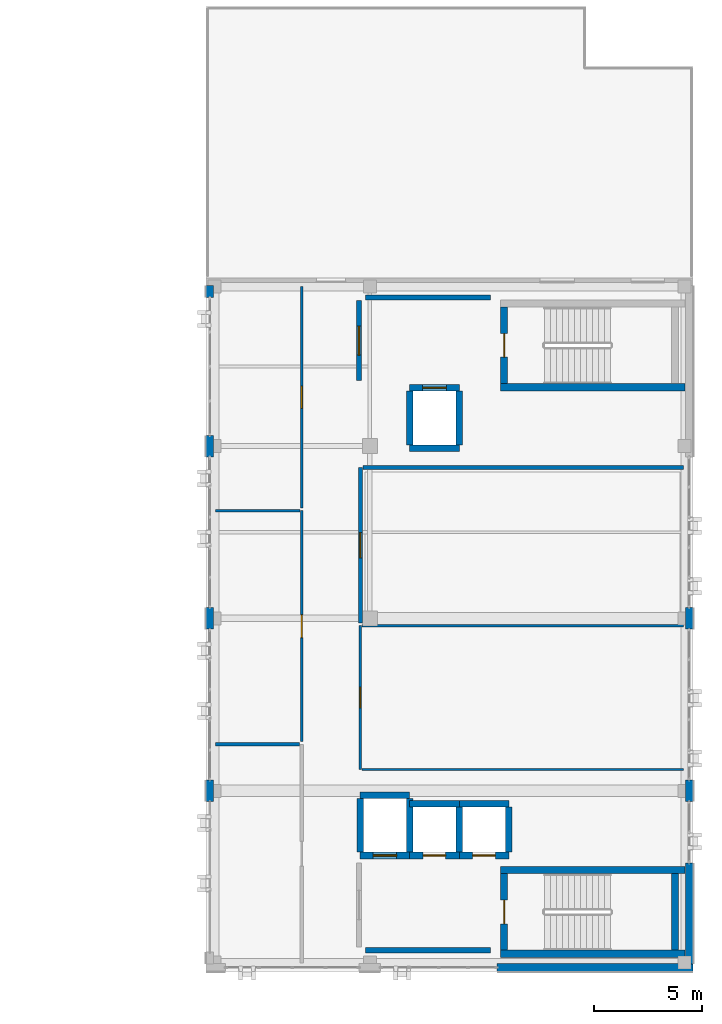
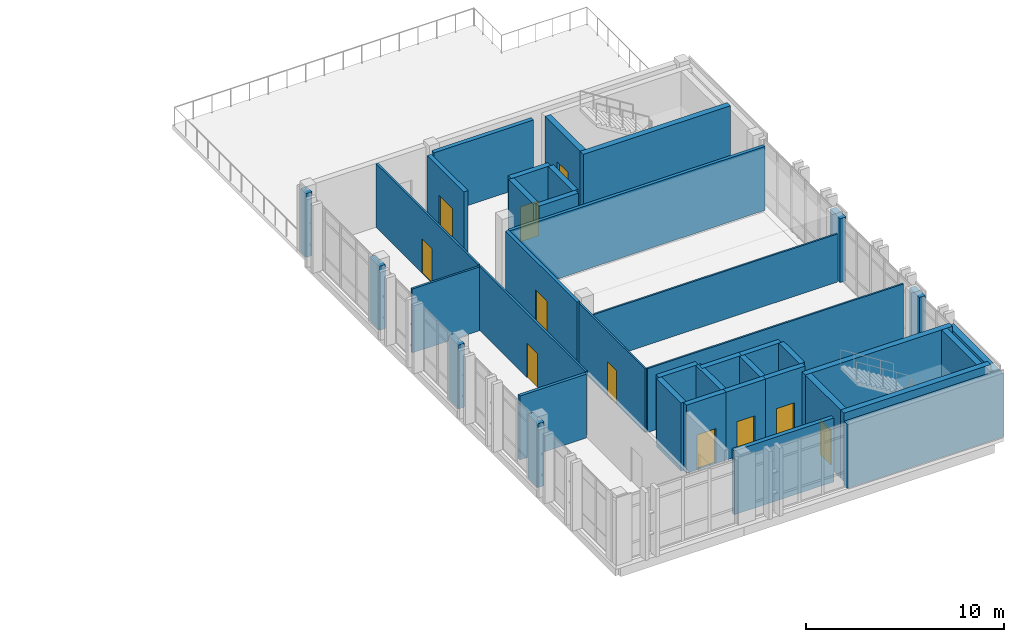
# One storey, part 38 of 48: 40 walls, 11 doors, 11 openings.
"""IFC4 building model written with IfcOpenShell, lengths in metres."""

from ifc_helpers import new_model, si_unit, direction, frame, frame_2d, origin, place, context, subcontext, project, spatial, rectangle, extrude, material, layer, layer_set, type_object, element, fill, save


model = new_model("IFC4")

# Units and contexts
model_context = context("Model", 3, precision=1e-05, world=origin(), true_north=direction((0.0, 1.0)))
body_context = subcontext(model_context, "Body", "Model", "MODEL_VIEW")
ifc_project = project(units=[si_unit("LENGTHUNIT", "METRE"), si_unit("AREAUNIT", "SQUARE_METRE"), si_unit("VOLUMEUNIT", "CUBIC_METRE"), si_unit("PLANEANGLEUNIT", "RADIAN"), si_unit("MASSUNIT", "GRAM", prefix="KILO")], contexts=[model_context])

# Site, building, storey
site_placement = place(None, origin())
site = spatial("IfcSite", under=ifc_project, at=site_placement, CompositionType="ELEMENT")
building_placement = place(site_placement, origin())
building = spatial("IfcBuilding", under=site, at=building_placement, Name="Qalavern Law Courts", CompositionType="ELEMENT")
storey_placement = place(building_placement, frame((0.0, 0.0, 31.199951171875)))
storey = spatial("IfcBuildingStorey", under=building, at=storey_placement, Name="L07", CompositionType="ELEMENT", Elevation=31.199951171875)

# Walls
ifc_material_1 = material(Name="Concrete C40/50", Category="concrete")
ifc_layer_1 = layer(ifc_material_1, 0.35498046875)
ifc_layer_set_1 = layer_set([ifc_layer_1], Name="Concrete C40/50")
wall_type_1 = type_object("IfcWallType", Name="ENV-EW-355", PredefinedType="SOLIDWALL", material=ifc_layer_set_1)
wall_1_placement = place(storey_placement, frame((97.699951171875, 41.197509765625, 0.0), z_axis=(0.0, 0.0, 1.0), x_axis=(1.0, 0.0, 0.0)))
element("IfcWall", 1, at=wall_1_placement, inside=storey, type_object=wall_type_1, Name="V4 exterior pier wall L07 south 3", PredefinedType="SOLIDWALL", context=body_context, shape_type="SweptSolid", body=[
    extrude(rectangle(XDim=9.10009765625, YDim=0.35498046875, at=frame_2d((4.550048828125, 0.0))), origin(), (0.0, 0.0, 1.0), 3.93994140625),
])
wall_2_placement = place(storey_placement, frame((106.62255859375, 41.3701171875, 0.0), z_axis=(0.0, 0.0, 1.0), x_axis=(0.0, 1.0, 0.0)))
element("IfcWall", 2, at=wall_2_placement, inside=storey, type_object=wall_type_1, Name="V4 exterior pier wall L07 east 1", PredefinedType="SOLIDWALL", context=body_context, shape_type="SweptSolid", body=[
    extrude(rectangle(XDim=4.679931640625, YDim=0.35498046875, at=frame_2d((2.33984375, 0.0))), origin(), (0.0, 0.0, 1.0), 3.93994140625),
])
for number, where, z_axis, x_axis, name in (
    (3, (106.62255859375, 48.89990234375, 0.0), (0.0, 0.0, 1.0), (0.0, 1.0, 0.0), "V4 exterior pier wall L07 east 2"),
    (4, (106.62255859375, 56.89990234375, 0.0), (0.0, 0.0, 1.0), (0.0, 1.0, 0.0), "V4 exterior pier wall L07 east 3"),
):
    element("IfcWall", number, at=place(storey_placement, frame(where, z_axis=z_axis, x_axis=x_axis)), inside=storey, type_object=wall_type_1, Name=name, PredefinedType="SOLIDWALL", context=body_context, shape_type="SweptSolid", body=[
        extrude(rectangle(XDim=1.0, YDim=0.35498046875, at=frame_2d((0.5, 0.0))), origin(), (0.0, 0.0, 1.0), 3.93994140625),
    ])
wall_3_placement = place(storey_placement, frame((84.37744140625, 72.85009765625, 0.0), z_axis=(0.0, 0.0, 1.0), x_axis=(0.0, -1.0, 0.0)))
element("IfcWall", 5, at=wall_3_placement, inside=storey, type_object=wall_type_1, Name="V4 exterior pier wall L07 west 1", PredefinedType="SOLIDWALL", context=body_context, shape_type="SweptSolid", body=[
    extrude(rectangle(XDim=0.550048828125, YDim=0.35498046875, at=frame_2d((0.27490234375, 0.0))), origin(), (0.0, 0.0, 1.0), 3.93994140625),
])
for number, where, z_axis, x_axis, name in (
    (6, (84.37744140625, 65.89990234375, 0.0), (0.0, 0.0, 1.0), (0.0, -1.0, 0.0), "V4 exterior pier wall L07 west 2"),
    (7, (84.37744140625, 57.89990234375, 0.0), (0.0, 0.0, 1.0), (0.0, -1.0, 0.0), "V4 exterior pier wall L07 west 3"),
    (8, (84.37744140625, 49.89990234375, 0.0), (0.0, 0.0, 1.0), (0.0, -1.0, 0.0), "V4 exterior pier wall L07 west 4"),
):
    element("IfcWall", number, at=place(storey_placement, frame(where, z_axis=z_axis, x_axis=x_axis)), inside=storey, type_object=wall_type_1, Name=name, PredefinedType="SOLIDWALL", context=body_context, shape_type="SweptSolid", body=[
        extrude(rectangle(XDim=1.0, YDim=0.35498046875, at=frame_2d((0.5, 0.0))), origin(), (0.0, 0.0, 1.0), 3.93994140625),
    ])
ifc_material_2 = material(Name="Concrete C45/55", Category="concrete")
ifc_layer_2 = layer(ifc_material_2, 0.3349609375)
ifc_layer_set_2 = layer_set([ifc_layer_2], Name="Concrete C45/55")
wall_type_2 = type_object("IfcWallType", Name="INT-CW-335", PredefinedType="SHEAR", material=ifc_layer_set_2)
wall_4_placement = place(storey_placement, frame((97.864990234375, 41.83251953125, 0.0), z_axis=(0.0, 0.0, 1.0), x_axis=(1.0, 0.0, 0.0)))
element("IfcWall", 9, at=wall_4_placement, inside=storey, type_object=wall_type_2, Name="Core K1A stair shear wall L07 south", PredefinedType="SHEAR", context=body_context, shape_type="SweptSolid", body=[
    extrude(rectangle(XDim=8.576904296875, YDim=0.3349609375, at=frame_2d((4.28857421875, 0.0))), origin(), (0.0, 0.0, 1.0), 4.199951171875),
])
wall_5_placement = place(storey_placement, frame((105.967529296875, 42.0, 0.0), z_axis=(0.0, 0.0, 1.0), x_axis=(0.0, 1.0, 0.0)))
element("IfcWall", 10, at=wall_5_placement, inside=storey, type_object=wall_type_2, Name="Core K1A stair shear wall L07 east", PredefinedType="SHEAR", context=body_context, shape_type="SweptSolid", body=[
    extrude(rectangle(XDim=3.550048828125, YDim=0.3349609375, at=frame_2d((1.77490234375, 0.0))), origin(), (0.0, 0.0, 1.0), 4.199951171875),
])
wall_6_placement = place(storey_placement, frame((106.44189453125, 45.717529296875, 0.0), z_axis=(0.0, 0.0, 1.0), x_axis=(-1.0, 0.0, 0.0)))
element("IfcWall", 11, at=wall_6_placement, inside=storey, type_object=wall_type_2, Name="Core K1A stair shear wall L07 north", PredefinedType="SHEAR", context=body_context, shape_type="SweptSolid", body=[
    extrude(rectangle(XDim=8.576904296875, YDim=0.3349609375, at=frame_2d((4.28857421875, 0.0))), origin(), (0.0, 0.0, 1.0), 4.199951171875),
])

# Wall, opening, door
wall_7_placement = place(storey_placement, frame((98.032470703125, 45.550048828125, 0.0), z_axis=(0.0, 0.0, 1.0), x_axis=(0.0, -1.0, 0.0)))
wall_7 = element("IfcWall", 12, at=wall_7_placement, inside=storey, type_object=wall_type_2, Name="Core K1A stair shear wall L07 west", PredefinedType="SHEAR", context=body_context, shape_type="SweptSolid", body=[
    extrude(rectangle(XDim=3.550048828125, YDim=0.3349609375, at=frame_2d((1.77490234375, 0.0))), origin(), (0.0, 0.0, 1.0), 4.199951171875),
])
opening_1_placement = place(wall_7_placement, frame((1.22509765625, 0.0, 0.0)))
opening_1 = element("IfcOpeningElement", 13, at=opening_1_placement, cuts=wall_7, Name="Opening L07-D019", PredefinedType="OPENING", context=body_context, shape_type="SweptSolid", body=[
    extrude(rectangle(XDim=1.10009765625, YDim=2.14990234375, at=frame_2d((0.550048828125, 1.074951171875))), frame((0.0, 0.182373046875, 0.0), z_axis=(0.0, -1.0, 0.0), x_axis=(1.0, 0.0, 0.0)), (0.0, 0.0, 1.0), 0.36474609375),
])
ifc_material_3 = material(Name="Steel fire-rated stair enclosure door", Category="steel")
door_type_1 = type_object("IfcDoorType", Name="INT-FD-1100x2150", OperationType="NOTDEFINED", PredefinedType="DOOR", material=ifc_material_3)
door_1_placement = place(opening_1_placement, frame((1.10009765625, 0.0, 0.0), z_axis=(0.0, 0.0, 1.0), x_axis=(-1.0, 0.0, 0.0)))
door_1 = element("IfcDoor", 14, at=door_1_placement, inside=storey, type_object=door_type_1, Name="Stair K1A fire door L07", OperationType="SINGLE_SWING_RIGHT", OverallHeight=2.14990234375, OverallWidth=1.10009765625, PredefinedType="DOOR", context=body_context, shape_type="SweptSolid", body=[
    extrude(rectangle(XDim=1.10009765625, YDim=2.14990234375, at=frame_2d((0.550048828125, 1.074951171875))), frame((0.0, 0.02490234375, 0.0), z_axis=(0.0, -1.0, 0.0), x_axis=(1.0, 0.0, 0.0)), (0.0, 0.0, 1.0), 0.050048828125),
])
fill(opening_1, door_1)

# Wall
wall_8_placement = place(storey_placement, frame((97.864990234375, 68.132568359375, 0.0), z_axis=(0.0, 0.0, 1.0), x_axis=(1.0, 0.0, 0.0)))
element("IfcWall", 15, at=wall_8_placement, inside=storey, type_object=wall_type_2, Name="Core K1B stair shear wall L07 south", PredefinedType="SHEAR", context=body_context, shape_type="SweptSolid", body=[
    extrude(rectangle(XDim=8.576904296875, YDim=0.3349609375, at=frame_2d((4.28857421875, 0.0))), origin(), (0.0, 0.0, 1.0), 4.199951171875),
])

# Wall, opening, door
wall_9_placement = place(storey_placement, frame((98.032470703125, 71.85009765625, 0.0), z_axis=(0.0, 0.0, 1.0), x_axis=(0.0, -1.0, 0.0)))
wall_9 = element("IfcWall", 16, at=wall_9_placement, inside=storey, type_object=wall_type_2, Name="Core K1B stair shear wall L07 west", PredefinedType="SHEAR", context=body_context, shape_type="SweptSolid", body=[
    extrude(rectangle(XDim=3.550048828125, YDim=0.3349609375, at=frame_2d((1.77490234375, 0.0))), origin(), (0.0, 0.0, 1.0), 4.199951171875),
])
opening_2_placement = place(wall_9_placement, frame((1.22509765625, 0.0, 0.0)))
opening_2 = element("IfcOpeningElement", 17, at=opening_2_placement, cuts=wall_9, Name="Opening L07-D043", PredefinedType="OPENING", context=body_context, shape_type="SweptSolid", body=[
    extrude(rectangle(XDim=1.10009765625, YDim=2.14990234375, at=frame_2d((0.550048828125, 1.074951171875))), frame((0.0, 0.182373046875, 0.0), z_axis=(0.0, -1.0, 0.0), x_axis=(1.0, 0.0, 0.0)), (0.0, 0.0, 1.0), 0.36474609375),
])
door_2_placement = place(opening_2_placement, frame((1.10009765625, 0.0, 0.0), z_axis=(0.0, 0.0, 1.0), x_axis=(-1.0, 0.0, 0.0)))
door_2 = element("IfcDoor", 18, at=door_2_placement, inside=storey, type_object=door_type_1, Name="Stair K1B fire door L07", OperationType="SINGLE_SWING_RIGHT", OverallHeight=2.14990234375, OverallWidth=1.10009765625, PredefinedType="DOOR", context=body_context, shape_type="SweptSolid", body=[
    extrude(rectangle(XDim=1.10009765625, YDim=2.14990234375, at=frame_2d((0.550048828125, 1.074951171875))), frame((0.0, 0.02490234375, 0.0), z_axis=(0.0, -1.0, 0.0), x_axis=(1.0, 0.0, 0.0)), (0.0, 0.0, 1.0), 0.050048828125),
])
fill(opening_2, door_2)

# Wall
ifc_layer_3 = layer(ifc_material_1, 0.2451171875)
ifc_layer_set_3 = layer_set([ifc_layer_3], Name="Concrete C40/50")
wall_type_3 = type_object("IfcWallType", Name="INT-FW-245", PredefinedType="PARTITIONING", material=ifc_layer_set_3)
wall_10_placement = place(storey_placement, frame((91.60009765625, 42.0, 0.0), z_axis=(0.0, 0.0, 1.0), x_axis=(1.0, 0.0, 0.0)))
element("IfcWall", 19, at=wall_10_placement, inside=storey, type_object=wall_type_3, Name="Core K1A lobby return wall L07 south", PredefinedType="PARTITIONING", context=body_context, shape_type="SweptSolid", body=[
    extrude(rectangle(XDim=5.7998046875, YDim=0.2451171875, at=frame_2d((2.89990234375, 0.0))), origin(), (0.0, 0.0, 1.0), 3.93994140625),
])

# Wall, opening, door
wall_11_placement = place(storey_placement, frame((91.300048828125, 68.449951171875, 0.0), z_axis=(0.0, 0.0, 1.0), x_axis=(0.0, 1.0, 0.0)))
wall_11 = element("IfcWall", 20, at=wall_11_placement, inside=storey, type_object=wall_type_3, Name="Core K1B firefighting/stair lobby fire wall L07", PredefinedType="PARTITIONING", context=body_context, shape_type="SweptSolid", body=[
    extrude(rectangle(XDim=3.699951171875, YDim=0.2451171875, at=frame_2d((1.85009765625, 0.0))), origin(), (0.0, 0.0, 1.0), 3.93994140625),
])
opening_3_placement = place(wall_11_placement, frame((1.175048828125, 0.0, 0.0)))
opening_3 = element("IfcOpeningElement", 21, at=opening_3_placement, cuts=wall_11, Name="Opening L07-D044", PredefinedType="OPENING", context=body_context, shape_type="SweptSolid", body=[
    extrude(rectangle(XDim=1.35009765625, YDim=2.199951171875, at=frame_2d((0.675048828125, 1.10009765625))), frame((0.0, 0.137451171875, 0.0), z_axis=(0.0, -1.0, 0.0), x_axis=(1.0, 0.0, 0.0)), (0.0, 0.0, 1.0), 0.27490234375),
])
ifc_material_4 = material(Name="Steel fire-rated frame and acoustic timber leaves", Category="steel")
door_type_2 = type_object("IfcDoorType", Name="INT-FD-1350x2200", OperationType="DOUBLE_DOOR_SINGLE_SWING", PredefinedType="DOOR", material=ifc_material_4)
door_3_placement = place(opening_3_placement, origin())
door_3 = element("IfcDoor", 22, at=door_3_placement, inside=storey, type_object=door_type_2, Name="Core K1B lobby fire door L07", OperationType="DOUBLE_DOOR_SINGLE_SWING", OverallHeight=2.199951171875, OverallWidth=1.35009765625, PredefinedType="DOOR", context=body_context, shape_type="SweptSolid", body=[
    extrude(rectangle(XDim=1.35009765625, YDim=2.199951171875, at=frame_2d((0.675048828125, 1.10009765625))), frame((0.0, 0.02490234375, 0.0), z_axis=(0.0, -1.0, 0.0), x_axis=(1.0, 0.0, 0.0)), (0.0, 0.0, 1.0), 0.050048828125),
])
fill(opening_3, door_3)

# Wall
wall_12_placement = place(storey_placement, frame((91.60009765625, 72.300048828125, 0.0), z_axis=(0.0, 0.0, 1.0), x_axis=(1.0, 0.0, 0.0)))
element("IfcWall", 23, at=wall_12_placement, inside=storey, type_object=wall_type_3, Name="Core K1B lobby return wall L07 north", PredefinedType="PARTITIONING", context=body_context, shape_type="SweptSolid", body=[
    extrude(rectangle(XDim=5.7998046875, YDim=0.2451171875, at=frame_2d((2.89990234375, 0.0))), origin(), (0.0, 0.0, 1.0), 3.93994140625),
])

# Wall, opening, door
ifc_material_5 = material(Name="Gypsum sanitary partition")
ifc_layer_4 = layer(ifc_material_5, 0.10205078125)
ifc_layer_set_4 = layer_set([ifc_layer_4], Name="Gypsum sanitary partition")
wall_type_4 = type_object("IfcWallType", Name="INT-PW-102", PredefinedType="PARTITIONING", material=ifc_layer_set_4)
wall_13_placement = place(storey_placement, frame((91.360107421875, 50.389892578125, 0.0), z_axis=(0.0, 0.0, 1.0), x_axis=(0.0, 1.0, 0.0)))
wall_13 = element("IfcWall", 24, at=wall_13_placement, inside=storey, type_object=wall_type_4, Name="Accessible WC corridor partition L07", PredefinedType="PARTITIONING", context=body_context, shape_type="SweptSolid", body=[
    extrude(rectangle(XDim=6.675048828125, YDim=0.10205078125, at=frame_2d((3.33740234375, 0.0))), origin(), (0.0, 0.0, 1.0), 3.93994140625),
])
opening_4_placement = place(wall_13_placement, frame((2.867431640625, 0.0, 0.0)))
opening_4 = element("IfcOpeningElement", 25, at=opening_4_placement, cuts=wall_13, Name="Opening L07-D313", PredefinedType="OPENING", context=body_context, shape_type="SweptSolid", body=[
    extrude(rectangle(XDim=0.93994140625, YDim=2.070068359375, at=frame_2d((0.469970703125, 1.03515625))), frame((0.0, 0.06591796875, 0.0), z_axis=(0.0, -1.0, 0.0), x_axis=(1.0, 0.0, 0.0)), (0.0, 0.0, 1.0), 0.1318359375),
])
ifc_material_6 = material(Name="Accessible WC outward-clear door")
door_type_3 = type_object("IfcDoorType", Name="INT-ID-940x2070", OperationType="NOTDEFINED", PredefinedType="DOOR", material=ifc_material_6)
door_4_placement = place(opening_4_placement, origin())
door_4 = element("IfcDoor", 26, at=door_4_placement, inside=storey, type_object=door_type_3, Name="Accessible WC door L07", OperationType="SINGLE_SWING_RIGHT", OverallHeight=2.070068359375, OverallWidth=0.93994140625, PredefinedType="DOOR", context=body_context, shape_type="SweptSolid", body=[
    extrude(rectangle(XDim=0.93994140625, YDim=2.070068359375, at=frame_2d((0.469970703125, 1.03515625))), frame((0.0, 0.02490234375, 0.0), z_axis=(0.0, -1.0, 0.0), x_axis=(1.0, 0.0, 0.0)), (0.0, 0.0, 1.0), 0.050048828125),
])
fill(opening_4, door_4)

# Walls
wall_14_placement = place(storey_placement, frame((91.430908203125, 50.389892578125, 0.0), z_axis=(0.0, 0.0, 1.0), x_axis=(1.0, 0.0, 0.0)))
element("IfcWall", 27, at=wall_14_placement, inside=storey, type_object=wall_type_4, Name="Accessible WC cross partition L07 south", PredefinedType="PARTITIONING", context=body_context, shape_type="SweptSolid", body=[
    extrude(rectangle(XDim=14.92919921875, YDim=0.10205078125, at=frame_2d((7.464599609375, 0.0))), origin(), (0.0, 0.0, 1.0), 3.93994140625),
])
wall_15_placement = place(storey_placement, frame((91.430908203125, 57.06494140625, 0.0), z_axis=(0.0, 0.0, 1.0), x_axis=(1.0, 0.0, 0.0)))
element("IfcWall", 28, at=wall_15_placement, inside=storey, type_object=wall_type_4, Name="Accessible WC cross partition L07 north", PredefinedType="PARTITIONING", context=body_context, shape_type="SweptSolid", body=[
    extrude(rectangle(XDim=14.92919921875, YDim=0.10205078125, at=frame_2d((7.464599609375, 0.0))), origin(), (0.0, 0.0, 1.0), 2.969970703125),
])

# Wall, opening, door
ifc_material_7 = material(Name="Gypsum stud partition")
ifc_layer_5 = layer(ifc_material_7, 0.112060546875)
ifc_layer_set_5 = layer_set([ifc_layer_5], Name="Gypsum stud partition")
wall_type_5 = type_object("IfcWallType", Name="INT-PW-112", PredefinedType="PARTITIONING", material=ifc_layer_set_5)
wall_16_placement = place(storey_placement, frame((88.639892578125, 62.52392578125, 0.0), z_axis=(0.0, 0.0, 1.0), x_axis=(0.0, 1.0, 0.0)))
wall_16 = element("IfcWall", 29, at=wall_16_placement, inside=storey, type_object=wall_type_5, Name="Judicial Clerks' Office corridor partition L07", PredefinedType="PARTITIONING", context=body_context, shape_type="SweptSolid", body=[
    extrude(rectangle(XDim=10.296142578125, YDim=0.112060546875, at=frame_2d((5.14794921875, 0.0))), origin(), (0.0, 0.0, 1.0), 3.93994140625),
])
opening_5_placement = place(wall_16_placement, frame((4.633056640625, 0.0, 0.0)))
opening_5 = element("IfcOpeningElement", 30, at=opening_5_placement, cuts=wall_16, Name="Opening L07-D312", PredefinedType="OPENING", context=body_context, shape_type="SweptSolid", body=[
    extrude(rectangle(XDim=1.030029296875, YDim=2.110107421875, at=frame_2d((0.51513671875, 1.05517578125))), frame((0.0, 0.07080078125, 0.0), z_axis=(0.0, -1.0, 0.0), x_axis=(1.0, 0.0, 0.0)), (0.0, 0.0, 1.0), 0.141845703125),
])
ifc_material_8 = material(Name="Oak Mediation Suite door")
door_type_4 = type_object("IfcDoorType", Name="INT-ID-1030x2110", OperationType="NOTDEFINED", PredefinedType="DOOR", material=ifc_material_8)
door_5_placement = place(opening_5_placement, frame((1.030029296875, 0.0, 0.0), z_axis=(0.0, 0.0, 1.0), x_axis=(-1.0, 0.0, 0.0)))
door_5 = element("IfcDoor", 31, at=door_5_placement, inside=storey, type_object=door_type_4, Name="Judicial Clerks' Office door L07", OperationType="SINGLE_SWING_LEFT", OverallHeight=2.110107421875, OverallWidth=1.030029296875, PredefinedType="DOOR", context=body_context, shape_type="SweptSolid", body=[
    extrude(rectangle(XDim=1.030029296875, YDim=2.110107421875, at=frame_2d((0.51513671875, 1.05517578125))), frame((0.0, 0.02490234375, 0.0), z_axis=(0.0, -1.0, 0.0), x_axis=(1.0, 0.0, 0.0)), (0.0, 0.0, 1.0), 0.050048828125),
])
fill(opening_5, door_5)

ifc_layer_6 = layer(ifc_material_7, 0.1220703125)
ifc_layer_set_6 = layer_set([ifc_layer_6], Name="Gypsum stud partition")
wall_type_6 = type_object("IfcWallType", Name="INT-PW-122", PredefinedType="PARTITIONING", material=ifc_layer_set_6)
wall_17_placement = place(storey_placement, frame((88.639892578125, 51.677978515625, 0.0), z_axis=(0.0, 0.0, 1.0), x_axis=(0.0, 1.0, 0.0)))
wall_17 = element("IfcWall", 32, at=wall_17_placement, inside=storey, type_object=wall_type_6, Name="Judges' Chambers corridor partition L07", PredefinedType="PARTITIONING", context=body_context, shape_type="SweptSolid", body=[
    extrude(rectangle(XDim=10.72607421875, YDim=0.1220703125, at=frame_2d((5.363037109375, 0.0))), origin(), (0.0, 0.0, 1.0), 3.93994140625),
])
opening_6_placement = place(wall_17_placement, frame((4.8330078125, 0.0, 0.0)))
opening_6 = element("IfcOpeningElement", 33, at=opening_6_placement, cuts=wall_17, Name="Opening L07-D311", PredefinedType="OPENING", context=body_context, shape_type="SweptSolid", body=[
    extrude(rectangle(XDim=1.06005859375, YDim=2.1201171875, at=frame_2d((0.530029296875, 1.06005859375))), frame((0.0, 0.075927734375, 0.0), z_axis=(0.0, -1.0, 0.0), x_axis=(1.0, 0.0, 0.0)), (0.0, 0.0, 1.0), 0.15185546875),
])
ifc_material_9 = material(Name="Solid oak Trial Judges' Chambers door")
door_type_5 = type_object("IfcDoorType", Name="INT-ID-1060x2120", OperationType="NOTDEFINED", PredefinedType="DOOR", material=ifc_material_9)
door_6_placement = place(opening_6_placement, frame((1.06005859375, 0.0, 0.0), z_axis=(0.0, 0.0, 1.0), x_axis=(-1.0, 0.0, 0.0)))
door_6 = element("IfcDoor", 34, at=door_6_placement, inside=storey, type_object=door_type_5, Name="Judges' Chambers door L07", OperationType="SINGLE_SWING_RIGHT", OverallHeight=2.1201171875, OverallWidth=1.06005859375, PredefinedType="DOOR", context=body_context, shape_type="SweptSolid", body=[
    extrude(rectangle(XDim=1.06005859375, YDim=2.1201171875, at=frame_2d((0.530029296875, 1.06005859375))), frame((0.0, 0.02490234375, 0.0), z_axis=(0.0, -1.0, 0.0), x_axis=(1.0, 0.0, 0.0)), (0.0, 0.0, 1.0), 0.050048828125),
])
fill(opening_6, door_6)

# Walls
wall_18_placement = place(storey_placement, frame((84.639892578125, 62.404052734375, 0.0), z_axis=(0.0, 0.0, 1.0), x_axis=(1.0, 0.0, 0.0)))
element("IfcWall", 35, at=wall_18_placement, inside=storey, type_object=wall_type_6, Name="Judges' Chambers cross partition L07 north", PredefinedType="PARTITIONING", context=body_context, shape_type="SweptSolid", body=[
    extrude(rectangle(XDim=3.919189453125, YDim=0.1220703125, at=frame_2d((1.95947265625, 0.0))), origin(), (0.0, 0.0, 1.0), 3.93994140625),
])
ifc_material_10 = material(Name="Gypsum acoustic stud partition")
ifc_layer_7 = layer(ifc_material_10, 0.174072265625)
ifc_layer_set_7 = layer_set([ifc_layer_7], Name="Gypsum acoustic stud partition")
wall_type_7 = type_object("IfcWallType", Name="INT-PW-174", PredefinedType="PARTITIONING", material=ifc_layer_set_7)
wall_19_placement = place(storey_placement, frame((84.639892578125, 51.55810546875, 0.0), z_axis=(0.0, 0.0, 1.0), x_axis=(1.0, 0.0, 0.0)))
element("IfcWall", 36, at=wall_19_placement, inside=storey, type_object=wall_type_7, Name="Appellate Courtroom cross partition L07 north", PredefinedType="PARTITIONING", context=body_context, shape_type="SweptSolid", body=[
    extrude(rectangle(XDim=3.89306640625, YDim=0.174072265625, at=frame_2d((1.946533203125, 0.0))), origin(), (0.0, 0.0, 1.0), 3.93994140625),
])

# Wall, opening, door
ifc_layer_8 = layer(ifc_material_10, 0.18603515625)
ifc_layer_set_8 = layer_set([ifc_layer_8], Name="Gypsum acoustic stud partition")
wall_type_8 = type_object("IfcWallType", Name="INT-PW-186", PredefinedType="PARTITIONING", material=ifc_layer_set_8)
wall_20_placement = place(storey_placement, frame((91.360107421875, 57.18505859375, 0.0), z_axis=(0.0, 0.0, 1.0), x_axis=(0.0, 1.0, 0.0)))
wall_20 = element("IfcWall", 37, at=wall_20_placement, inside=storey, type_object=wall_type_8, Name="Appellate Courtroom corridor partition L07", PredefinedType="PARTITIONING", context=body_context, shape_type="SweptSolid", body=[
    extrude(rectangle(XDim=7.224853515625, YDim=0.18603515625, at=frame_2d((3.6123046875, 0.0))), origin(), (0.0, 0.0, 1.0), 3.93994140625),
])
opening_7_placement = place(wall_20_placement, frame((3.0224609375, 0.0, 0.0)))
opening_7 = element("IfcOpeningElement", 38, at=opening_7_placement, cuts=wall_20, Name="Opening L07-D314", PredefinedType="OPENING", context=body_context, shape_type="SweptSolid", body=[
    extrude(rectangle(XDim=1.179931640625, YDim=2.159912109375, at=frame_2d((0.58984375, 1.080078125))), frame((0.0, 0.10791015625, 0.0), z_axis=(0.0, -1.0, 0.0), x_axis=(1.0, 0.0, 0.0)), (0.0, 0.0, 1.0), 0.2158203125),
])
ifc_material_11 = material(Name="Acoustic oak Jury Deliberation door")
door_type_6 = type_object("IfcDoorType", Name="INT-ID-1180x2160", OperationType="NOTDEFINED", PredefinedType="DOOR", material=ifc_material_11)
door_7_placement = place(opening_7_placement, origin())
door_7 = element("IfcDoor", 39, at=door_7_placement, inside=storey, type_object=door_type_6, Name="Appellate Courtroom door L07", OperationType="SINGLE_SWING_LEFT", OverallHeight=2.159912109375, OverallWidth=1.179931640625, PredefinedType="DOOR", context=body_context, shape_type="SweptSolid", body=[
    extrude(rectangle(XDim=1.179931640625, YDim=2.159912109375, at=frame_2d((0.58984375, 1.080078125))), frame((0.0, 0.02490234375, 0.0), z_axis=(0.0, -1.0, 0.0), x_axis=(1.0, 0.0, 0.0)), (0.0, 0.0, 1.0), 0.050048828125),
])
fill(opening_7, door_7)

# Wall
wall_21_placement = place(storey_placement, frame((91.472900390625, 64.409912109375, 0.0), z_axis=(0.0, 0.0, 1.0), x_axis=(1.0, 0.0, 0.0)))
element("IfcWall", 40, at=wall_21_placement, inside=storey, type_object=wall_type_8, Name="Appellate Courtroom cross partition L07 north", PredefinedType="PARTITIONING", context=body_context, shape_type="SweptSolid", body=[
    extrude(rectangle(XDim=14.88720703125, YDim=0.18603515625, at=frame_2d((7.443603515625, 0.0))), origin(), (0.0, 0.0, 1.0), 3.93994140625),
])

# Wall, opening, door
ifc_layer_9 = layer(ifc_material_2, 0.304931640625)
ifc_layer_set_9 = layer_set([ifc_layer_9], Name="Concrete C45/55")
wall_type_9 = type_object("IfcWallType", Name="INT-SW-305", PredefinedType="SHEAR", material=ifc_layer_set_9)
wall_22_placement = place(storey_placement, frame((91.347412109375, 46.3974609375, 0.0), z_axis=(0.0, 0.0, 1.0), x_axis=(1.0, 0.0, 0.0)))
wall_22 = element("IfcWall", 41, at=wall_22_placement, inside=storey, type_object=wall_type_9, Name="Lift LF-FF1 shaft wall L07 south", PredefinedType="SHEAR", context=body_context, shape_type="SweptSolid", body=[
    extrude(rectangle(XDim=2.30517578125, YDim=0.304931640625, at=frame_2d((1.152587890625, 0.0))), origin(), (0.0, 0.0, 1.0), 4.199951171875),
])
opening_8_placement = place(wall_22_placement, frame((0.6025390625, 0.0, 0.0)))
opening_8 = element("IfcOpeningElement", 42, at=opening_8_placement, cuts=wall_22, Name="Opening LD-LF-FF1-L07", PredefinedType="OPENING", context=body_context, shape_type="SweptSolid", body=[
    extrude(rectangle(XDim=1.10009765625, YDim=2.159912109375, at=frame_2d((0.550048828125, 1.080078125))), frame((0.0, 0.16748046875, 0.0), z_axis=(0.0, -1.0, 0.0), x_axis=(1.0, 0.0, 0.0)), (0.0, 0.0, 1.0), 0.334716796875),
])
ifc_material_12 = material(Name="Stainless steel firefighting lift sliding landing door", Category="steel")
door_type_7 = type_object("IfcDoorType", Name="INT-LD-1100x2160", OperationType="DOUBLE_DOOR_SLIDING", PredefinedType="DOOR", material=ifc_material_12)
door_8_placement = place(opening_8_placement, origin())
door_8 = element("IfcDoor", 43, at=door_8_placement, inside=storey, type_object=door_type_7, Name="Lift LF-FF1 sliding landing door L07", OperationType="DOUBLE_DOOR_SLIDING", OverallHeight=2.159912109375, OverallWidth=1.10009765625, PredefinedType="DOOR", context=body_context, shape_type="SweptSolid", body=[
    extrude(rectangle(XDim=1.10009765625, YDim=2.159912109375, at=frame_2d((0.550048828125, 1.080078125))), frame((0.0, 0.02490234375, 0.0), z_axis=(0.0, -1.0, 0.0), x_axis=(1.0, 0.0, 0.0)), (0.0, 0.0, 1.0), 0.050048828125),
])
fill(opening_8, door_8)

# Walls
wall_23_placement = place(storey_placement, frame((93.652587890625, 46.550048828125, 0.0), z_axis=(0.0, 0.0, 1.0), x_axis=(0.0, 1.0, 0.0)))
element("IfcWall", 44, at=wall_23_placement, inside=storey, type_object=wall_type_9, Name="Lift LF-FF1 shaft wall L07 east", PredefinedType="SHEAR", context=body_context, shape_type="SweptSolid", body=[
    extrude(rectangle(XDim=2.5, YDim=0.304931640625, at=frame_2d((1.25, 0.0))), origin(), (0.0, 0.0, 1.0), 4.199951171875),
])
wall_24_placement = place(storey_placement, frame((93.652587890625, 49.202392578125, 0.0), z_axis=(0.0, 0.0, 1.0), x_axis=(-1.0, 0.0, 0.0)))
element("IfcWall", 45, at=wall_24_placement, inside=storey, type_object=wall_type_9, Name="Lift LF-FF1 shaft wall L07 north", PredefinedType="SHEAR", context=body_context, shape_type="SweptSolid", body=[
    extrude(rectangle(XDim=2.30517578125, YDim=0.304931640625, at=frame_2d((1.152587890625, 0.0))), origin(), (0.0, 0.0, 1.0), 4.199951171875),
])
wall_25_placement = place(storey_placement, frame((91.347412109375, 49.050048828125, 0.0), z_axis=(0.0, 0.0, 1.0), x_axis=(0.0, -1.0, 0.0)))
element("IfcWall", 46, at=wall_25_placement, inside=storey, type_object=wall_type_9, Name="Lift LF-FF1 shaft wall L07 west", PredefinedType="SHEAR", context=body_context, shape_type="SweptSolid", body=[
    extrude(rectangle(XDim=2.5, YDim=0.304931640625, at=frame_2d((1.25, 0.0))), origin(), (0.0, 0.0, 1.0), 4.199951171875),
])

# Wall, opening, door
wall_26_placement = place(storey_placement, frame((93.6474609375, 46.3974609375, 0.0), z_axis=(0.0, 0.0, 1.0), x_axis=(1.0, 0.0, 0.0)))
wall_26 = element("IfcWall", 47, at=wall_26_placement, inside=storey, type_object=wall_type_9, Name="Lift LF-P1 shaft wall L07 south", PredefinedType="SHEAR", context=body_context, shape_type="SweptSolid", body=[
    extrude(rectangle(XDim=2.304931640625, YDim=0.304931640625, at=frame_2d((1.15234375, 0.0))), origin(), (0.0, 0.0, 1.0), 4.199951171875),
])
opening_9_placement = place(wall_26_placement, frame((0.62744140625, 0.0, 0.0)))
opening_9 = element("IfcOpeningElement", 48, at=opening_9_placement, cuts=wall_26, Name="Opening LD-LF-P1-L07", PredefinedType="OPENING", context=body_context, shape_type="SweptSolid", body=[
    extrude(rectangle(XDim=1.050048828125, YDim=2.14990234375, at=frame_2d((0.52490234375, 1.074951171875))), frame((0.0, 0.16748046875, 0.0), z_axis=(0.0, -1.0, 0.0), x_axis=(1.0, 0.0, 0.0)), (0.0, 0.0, 1.0), 0.334716796875),
])
ifc_material_13 = material(Name="Brushed stainless steel passenger lift sliding landing door", Category="steel")
door_type_8 = type_object("IfcDoorType", Name="INT-LD-1050x2150", OperationType="DOUBLE_DOOR_SLIDING", PredefinedType="DOOR", material=ifc_material_13)
door_9_placement = place(opening_9_placement, origin())
door_9 = element("IfcDoor", 49, at=door_9_placement, inside=storey, type_object=door_type_8, Name="Lift LF-P1 sliding landing door L07", OperationType="DOUBLE_DOOR_SLIDING", OverallHeight=2.14990234375, OverallWidth=1.050048828125, PredefinedType="DOOR", context=body_context, shape_type="SweptSolid", body=[
    extrude(rectangle(XDim=1.050048828125, YDim=2.14990234375, at=frame_2d((0.52490234375, 1.074951171875))), frame((0.0, 0.02490234375, 0.0), z_axis=(0.0, -1.0, 0.0), x_axis=(1.0, 0.0, 0.0)), (0.0, 0.0, 1.0), 0.050048828125),
])
fill(opening_9, door_9)

# Walls
wall_27_placement = place(storey_placement, frame((95.952392578125, 46.550048828125, 0.0), z_axis=(0.0, 0.0, 1.0), x_axis=(0.0, 1.0, 0.0)))
element("IfcWall", 50, at=wall_27_placement, inside=storey, type_object=wall_type_9, Name="Lift LF-P1 shaft wall L07 east", PredefinedType="SHEAR", context=body_context, shape_type="SweptSolid", body=[
    extrude(rectangle(XDim=2.099853515625, YDim=0.304931640625, at=frame_2d((1.0498046875, 0.0))), origin(), (0.0, 0.0, 1.0), 4.199951171875),
])
wall_28_placement = place(storey_placement, frame((95.952392578125, 48.802490234375, 0.0), z_axis=(0.0, 0.0, 1.0), x_axis=(-1.0, 0.0, 0.0)))
element("IfcWall", 51, at=wall_28_placement, inside=storey, type_object=wall_type_9, Name="Lift LF-P1 shaft wall L07 north", PredefinedType="SHEAR", context=body_context, shape_type="SweptSolid", body=[
    extrude(rectangle(XDim=2.304931640625, YDim=0.304931640625, at=frame_2d((1.15234375, 0.0))), origin(), (0.0, 0.0, 1.0), 4.199951171875),
])

# Wall, opening, door
wall_29_placement = place(storey_placement, frame((95.947509765625, 46.3974609375, 0.0), z_axis=(0.0, 0.0, 1.0), x_axis=(1.0, 0.0, 0.0)))
wall_29 = element("IfcWall", 52, at=wall_29_placement, inside=storey, type_object=wall_type_9, Name="Lift LF-P2 shaft wall L07 south", PredefinedType="SHEAR", context=body_context, shape_type="SweptSolid", body=[
    extrude(rectangle(XDim=2.304931640625, YDim=0.304931640625, at=frame_2d((1.15234375, 0.0))), origin(), (0.0, 0.0, 1.0), 4.199951171875),
])
opening_10_placement = place(wall_29_placement, frame((0.62744140625, 0.0, 0.0)))
opening_10 = element("IfcOpeningElement", 53, at=opening_10_placement, cuts=wall_29, Name="Opening LD-LF-P2-L07", PredefinedType="OPENING", context=body_context, shape_type="SweptSolid", body=[
    extrude(rectangle(XDim=1.050048828125, YDim=2.14990234375, at=frame_2d((0.52490234375, 1.074951171875))), frame((0.0, 0.16748046875, 0.0), z_axis=(0.0, -1.0, 0.0), x_axis=(1.0, 0.0, 0.0)), (0.0, 0.0, 1.0), 0.334716796875),
])
door_10_placement = place(opening_10_placement, origin())
door_10 = element("IfcDoor", 54, at=door_10_placement, inside=storey, type_object=door_type_8, Name="Lift LF-P2 sliding landing door L07", OperationType="DOUBLE_DOOR_SLIDING", OverallHeight=2.14990234375, OverallWidth=1.050048828125, PredefinedType="DOOR", context=body_context, shape_type="SweptSolid", body=[
    extrude(rectangle(XDim=1.050048828125, YDim=2.14990234375, at=frame_2d((0.52490234375, 1.074951171875))), frame((0.0, 0.02490234375, 0.0), z_axis=(0.0, -1.0, 0.0), x_axis=(1.0, 0.0, 0.0)), (0.0, 0.0, 1.0), 0.050048828125),
])
fill(opening_10, door_10)

# Walls
wall_30_placement = place(storey_placement, frame((98.25244140625, 46.550048828125, 0.0), z_axis=(0.0, 0.0, 1.0), x_axis=(0.0, 1.0, 0.0)))
element("IfcWall", 55, at=wall_30_placement, inside=storey, type_object=wall_type_9, Name="Lift LF-P2 shaft wall L07 east", PredefinedType="SHEAR", context=body_context, shape_type="SweptSolid", body=[
    extrude(rectangle(XDim=2.099853515625, YDim=0.304931640625, at=frame_2d((1.0498046875, 0.0))), origin(), (0.0, 0.0, 1.0), 4.199951171875),
])
for number, where, z_axis, x_axis, name in (
    (56, (98.25244140625, 48.802490234375, 0.0), (0.0, 0.0, 1.0), (-1.0, 0.0, 0.0), "Lift LF-P2 shaft wall L07 north"),
    (57, (93.6474609375, 65.297607421875, 0.0), (0.0, 0.0, 1.0), (1.0, 0.0, 0.0), "Lift LF-FF2 shaft wall L07 south"),
):
    element("IfcWall", number, at=place(storey_placement, frame(where, z_axis=z_axis, x_axis=x_axis)), inside=storey, type_object=wall_type_9, Name=name, PredefinedType="SHEAR", context=body_context, shape_type="SweptSolid", body=[
        extrude(rectangle(XDim=2.304931640625, YDim=0.304931640625, at=frame_2d((1.15234375, 0.0))), origin(), (0.0, 0.0, 1.0), 4.199951171875),
    ])
wall_31_placement = place(storey_placement, frame((95.952392578125, 65.449951171875, 0.0), z_axis=(0.0, 0.0, 1.0), x_axis=(0.0, 1.0, 0.0)))
element("IfcWall", 58, at=wall_31_placement, inside=storey, type_object=wall_type_9, Name="Lift LF-FF2 shaft wall L07 east", PredefinedType="SHEAR", context=body_context, shape_type="SweptSolid", body=[
    extrude(rectangle(XDim=2.5, YDim=0.304931640625, at=frame_2d((1.25, 0.0))), origin(), (0.0, 0.0, 1.0), 4.199951171875),
])

# Wall, opening, door
wall_32_placement = place(storey_placement, frame((95.952392578125, 68.1025390625, 0.0), z_axis=(0.0, 0.0, 1.0), x_axis=(-1.0, 0.0, 0.0)))
wall_32 = element("IfcWall", 59, at=wall_32_placement, inside=storey, type_object=wall_type_9, Name="Lift LF-FF2 shaft wall L07 north", PredefinedType="SHEAR", context=body_context, shape_type="SweptSolid", body=[
    extrude(rectangle(XDim=2.304931640625, YDim=0.304931640625, at=frame_2d((1.15234375, 0.0))), origin(), (0.0, 0.0, 1.0), 4.199951171875),
])
opening_11_placement = place(wall_32_placement, frame((0.6025390625, 0.0, 0.0)))
opening_11 = element("IfcOpeningElement", 60, at=opening_11_placement, cuts=wall_32, Name="Opening LD-LF-FF2-L07", PredefinedType="OPENING", context=body_context, shape_type="SweptSolid", body=[
    extrude(rectangle(XDim=1.10009765625, YDim=2.159912109375, at=frame_2d((0.550048828125, 1.080078125))), frame((0.0, 0.16748046875, 0.0), z_axis=(0.0, -1.0, 0.0), x_axis=(1.0, 0.0, 0.0)), (0.0, 0.0, 1.0), 0.334716796875),
])
door_11_placement = place(opening_11_placement, origin())
door_11 = element("IfcDoor", 61, at=door_11_placement, inside=storey, type_object=door_type_7, Name="Lift LF-FF2 sliding landing door L07", OperationType="DOUBLE_DOOR_SLIDING", OverallHeight=2.159912109375, OverallWidth=1.10009765625, PredefinedType="DOOR", context=body_context, shape_type="SweptSolid", body=[
    extrude(rectangle(XDim=1.10009765625, YDim=2.159912109375, at=frame_2d((0.550048828125, 1.080078125))), frame((0.0, 0.02490234375, 0.0), z_axis=(0.0, -1.0, 0.0), x_axis=(1.0, 0.0, 0.0)), (0.0, 0.0, 1.0), 0.050048828125),
])
fill(opening_11, door_11)

# Wall
wall_33_placement = place(storey_placement, frame((93.6474609375, 67.949951171875, 0.0), z_axis=(0.0, 0.0, 1.0), x_axis=(0.0, -1.0, 0.0)))
element("IfcWall", 62, at=wall_33_placement, inside=storey, type_object=wall_type_9, Name="Lift LF-FF2 shaft wall L07 west", PredefinedType="SHEAR", context=body_context, shape_type="SweptSolid", body=[
    extrude(rectangle(XDim=2.5, YDim=0.304931640625, at=frame_2d((1.25, 0.0))), origin(), (0.0, 0.0, 1.0), 4.199951171875),
])

save(model, "model.ifc")
